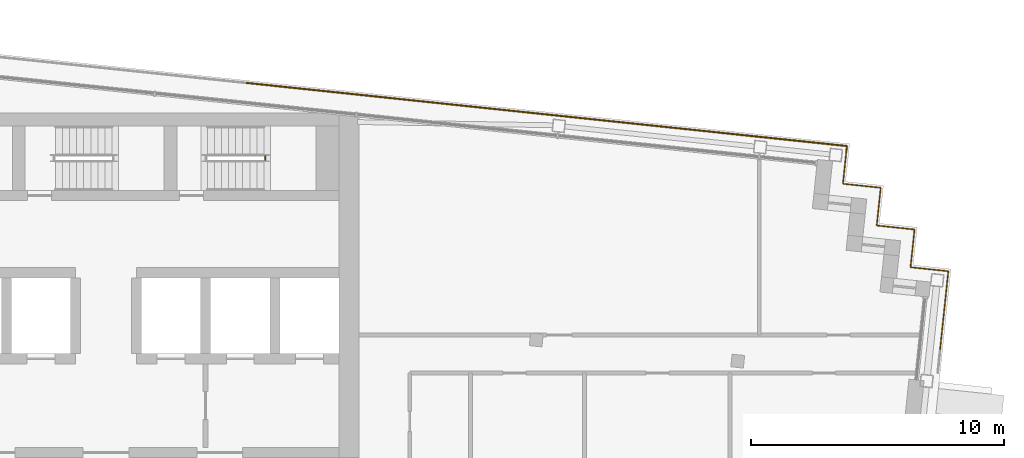
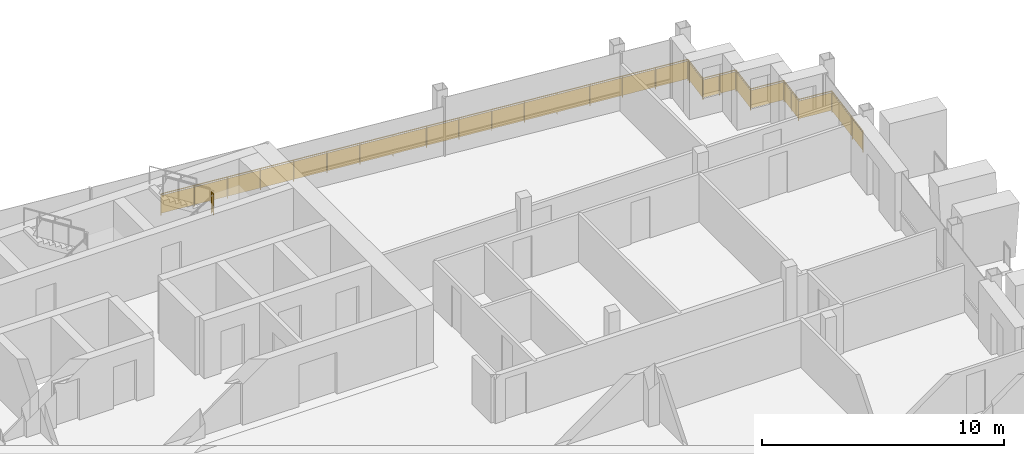
# One storey, part 16 of 16: 4 railings.
"""IFC4 building model written with IfcOpenShell, lengths in metres."""

from ifc_helpers import new_model, si_unit, direction, frame, origin, origin_2d, place, context, subcontext, project, spatial, rectangle, circle, extrude, material, type_object, element, save


model = new_model("IFC4")

# Units and contexts
model_context = context("Model", 3, precision=1e-05, world=origin(), true_north=direction((0.0, 1.0)))
body_context = subcontext(model_context, "Body", "Model", "MODEL_VIEW")
ifc_project = project(units=[si_unit("LENGTHUNIT", "METRE"), si_unit("AREAUNIT", "SQUARE_METRE"), si_unit("VOLUMEUNIT", "CUBIC_METRE"), si_unit("PLANEANGLEUNIT", "RADIAN"), si_unit("MASSUNIT", "GRAM", prefix="KILO")], contexts=[model_context])

# Site, building, storey
site_placement = place(None, origin())
site = spatial("IfcSite", under=ifc_project, at=site_placement, CompositionType="ELEMENT")
building_placement = place(site_placement, origin())
building = spatial("IfcBuilding", under=site, at=building_placement, Name="Vidyagriha Tower", CompositionType="ELEMENT")
storey_placement = place(building_placement, frame((0.0, 0.0, 272.300048828125)))
storey = spatial("IfcBuildingStorey", under=building, at=storey_placement, Name="L71", CompositionType="ELEMENT", Elevation=272.300048828125)

# Railings
ifc_material_1 = material(Name="Steel ASTM A500 Grade C black painted", Category="steel")
railing_type_1 = type_object("IfcRailingType", Name="Gallery guard 1100", PredefinedType="GUARDRAIL", material=ifc_material_1)
railing_1_placement = place(storey_placement, frame((5.55224609375, 21.196533203125, 0.0)))
element("IfcRailing", 1, at=railing_1_placement, inside=storey, type_object=railing_type_1, Name="Gallery guard L71 7", PredefinedType="GUARDRAIL", context=body_context, shape_type="SweptSolid", body=[
    extrude(circle(Radius=0.02490234375, at=origin_2d()), frame((0.0, 0.0, 1.0751953125), z_axis=(0.994521271903, -0.104534394972, 0.0), x_axis=(0.104534394972, 0.994521271903, 0.0)), (0.0, 0.0, 1.0), 11.999755859375),
    extrude(circle(Radius=0.02001953125, at=origin_2d()), origin(), (0.0, 0.0, 1.0), 1.050048828125),
    extrude(circle(Radius=0.02001953125, at=origin_2d()), frame((1.49169921875, -0.15673828125, 0.0)), (0.0, 0.0, 1.0), 1.050048828125),
    extrude(circle(Radius=0.02001953125, at=origin_2d()), frame((2.9833984375, -0.3134765625, 0.0)), (0.0, 0.0, 1.0), 1.050048828125),
    extrude(circle(Radius=0.02001953125, at=origin_2d()), frame((4.475341796875, -0.470458984375, 0.0)), (0.0, 0.0, 1.0), 1.050048828125),
    extrude(circle(Radius=0.02001953125, at=origin_2d()), frame((5.967041015625, -0.627197265625, 0.0)), (0.0, 0.0, 1.0), 1.050048828125),
    extrude(circle(Radius=0.02001953125, at=origin_2d()), frame((7.458740234375, -0.783935546875, 0.0)), (0.0, 0.0, 1.0), 1.050048828125),
    extrude(circle(Radius=0.02001953125, at=origin_2d()), frame((8.95068359375, -0.94091796875, 0.0)), (0.0, 0.0, 1.0), 1.050048828125),
    extrude(circle(Radius=0.02001953125, at=origin_2d()), frame((10.4423828125, -1.09765625, 0.0)), (0.0, 0.0, 1.0), 1.050048828125),
    extrude(circle(Radius=0.02001953125, at=origin_2d()), frame((11.93408203125, -1.25439453125, 0.0)), (0.0, 0.0, 1.0), 1.050048828125),
    extrude(rectangle(XDim=0.010009765625, YDim=0.900146484375, at=origin_2d()), frame((0.0, 0.0, 0.550048828125), z_axis=(0.994521271903, -0.104534394972, 0.0), x_axis=(0.104534394972, 0.994521271903, 0.0)), (0.0, 0.0, 1.0), 11.999755859375),
])
railing_2_placement = place(storey_placement, frame((17.486328125, 19.942138671875, 0.0)))
element("IfcRailing", 2, at=railing_2_placement, inside=storey, type_object=railing_type_1, Name="Gallery guard L71 8", PredefinedType="GUARDRAIL", context=body_context, shape_type="SweptSolid", body=[
    extrude(circle(Radius=0.02490234375, at=origin_2d()), frame((0.0, 0.0, 1.0751953125), z_axis=(0.994522500633, -0.104522704396, 0.0), x_axis=(0.104522704396, 0.994522500633, 0.0)), (0.0, 0.0, 1.0), 11.840087890625),
    extrude(circle(Radius=0.02490234375, at=origin_2d()), frame((11.775146484375, -1.237548828125, 1.0751953125), z_axis=(-0.105240535143, -0.994446795843, 0.0), x_axis=(0.994446795843, -0.105240535143, 0.0)), (0.0, 0.0, 1.0), 0.16015625),
    extrude(circle(Radius=0.02001953125, at=origin_2d()), origin(), (0.0, 0.0, 1.0), 1.050048828125),
    extrude(circle(Radius=0.02001953125, at=origin_2d()), frame((1.471923828125, -0.15478515625, 0.0)), (0.0, 0.0, 1.0), 1.050048828125),
    extrude(circle(Radius=0.02001953125, at=origin_2d()), frame((2.94384765625, -0.309326171875, 0.0)), (0.0, 0.0, 1.0), 1.050048828125),
    extrude(circle(Radius=0.02001953125, at=origin_2d()), frame((4.415771484375, -0.464111328125, 0.0)), (0.0, 0.0, 1.0), 1.050048828125),
    extrude(circle(Radius=0.02001953125, at=origin_2d()), frame((5.8876953125, -0.61865234375, 0.0)), (0.0, 0.0, 1.0), 1.050048828125),
    extrude(circle(Radius=0.02001953125, at=origin_2d()), frame((7.359375, -0.7734375, 0.0)), (0.0, 0.0, 1.0), 1.050048828125),
    extrude(circle(Radius=0.02001953125, at=origin_2d()), frame((8.831298828125, -0.92822265625, 0.0)), (0.0, 0.0, 1.0), 1.050048828125),
    extrude(circle(Radius=0.02001953125, at=origin_2d()), frame((10.30322265625, -1.082763671875, 0.0)), (0.0, 0.0, 1.0), 1.050048828125),
    extrude(circle(Radius=0.02001953125, at=origin_2d()), frame((11.775146484375, -1.237548828125, 0.0)), (0.0, 0.0, 1.0), 1.050048828125),
    extrude(circle(Radius=0.02001953125, at=origin_2d()), frame((11.75830078125, -1.396728515625, 0.0)), (0.0, 0.0, 1.0), 1.050048828125),
    extrude(rectangle(XDim=0.010009765625, YDim=0.900146484375, at=origin_2d()), frame((0.0, 0.0, 0.550048828125), z_axis=(0.994522500633, -0.104522704396, 0.0), x_axis=(0.104522704396, 0.994522500633, 0.0)), (0.0, 0.0, 1.0), 11.840087890625),
    extrude(rectangle(XDim=0.010009765625, YDim=0.900146484375, at=origin_2d()), frame((11.775146484375, -1.237548828125, 0.550048828125), z_axis=(-0.105240535143, -0.994446795843, 0.0), x_axis=(0.994446795843, -0.105240535143, 0.0)), (0.0, 0.0, 1.0), 0.16015625),
])
railing_3_placement = place(storey_placement, frame((29.24462890625, 18.54541015625, 0.0)))
element("IfcRailing", 3, at=railing_3_placement, inside=storey, type_object=railing_type_1, Name="Gallery guard L71 9", PredefinedType="GUARDRAIL", context=body_context, shape_type="SweptSolid", body=[
    extrude(circle(Radius=0.02490234375, at=origin_2d()), frame((0.0, 0.0, 1.0751953125), z_axis=(-0.104589933737, -0.994515432641, 0.0), x_axis=(0.994515432641, -0.104589933737, 0.0)), (0.0, 0.0, 1.0), 1.33984375),
    extrude(circle(Radius=0.02490234375, at=origin_2d()), frame((-0.14013671875, -1.33251953125, 1.0751953125), z_axis=(0.994509910675, -0.104642427191, 0.0), x_axis=(0.104642427191, 0.994509910675, 0.0)), (0.0, 0.0, 1.0), 1.500244140625),
    extrude(circle(Radius=0.02490234375, at=origin_2d()), frame((1.351806640625, -1.489501953125, 1.0751953125), z_axis=(-0.104498377516, -0.994525057048, 0.0), x_axis=(0.994525057048, -0.104498377516, 0.0)), (0.0, 0.0, 1.0), 1.5),
    extrude(circle(Radius=0.02490234375, at=origin_2d()), frame((1.195068359375, -2.981201171875, 1.0751953125), z_axis=(0.994525057048, -0.104498377516, 0.0), x_axis=(0.104498377516, 0.994525057048, 0.0)), (0.0, 0.0, 1.0), 1.5),
    extrude(circle(Radius=0.02490234375, at=origin_2d()), frame((2.686767578125, -3.137939453125, 1.0751953125), z_axis=(-0.104481464157, -0.994526834051, 0.0), x_axis=(0.994526834051, -0.104481464157, 0.0)), (0.0, 0.0, 1.0), 1.500244140625),
    extrude(circle(Radius=0.02490234375, at=origin_2d()), frame((2.530029296875, -4.6298828125, 1.0751953125), z_axis=(0.994525057048, -0.104498377516, 0.0), x_axis=(0.104498377516, 0.994525057048, 0.0)), (0.0, 0.0, 1.0), 1.5),
    extrude(circle(Radius=0.02490234375, at=origin_2d()), frame((4.021728515625, -4.78662109375, 1.0751953125), z_axis=(-0.104527942092, -0.994521950146, 0.0), x_axis=(0.994521950146, -0.104527942092, 0.0)), (0.0, 0.0, 1.0), 3.16015625),
    extrude(circle(Radius=0.02001953125, at=origin_2d()), origin(), (0.0, 0.0, 1.0), 1.050048828125),
    extrude(circle(Radius=0.02001953125, at=origin_2d()), frame((-0.14013671875, -1.33251953125, 0.0)), (0.0, 0.0, 1.0), 1.050048828125),
    extrude(circle(Radius=0.02001953125, at=origin_2d()), frame((0.60595703125, -1.4111328125, 0.0)), (0.0, 0.0, 1.0), 1.050048828125),
    extrude(circle(Radius=0.02001953125, at=origin_2d()), frame((1.351806640625, -1.489501953125, 0.0)), (0.0, 0.0, 1.0), 1.050048828125),
    extrude(circle(Radius=0.02001953125, at=origin_2d()), frame((1.195068359375, -2.981201171875, 0.0)), (0.0, 0.0, 1.0), 1.050048828125),
    extrude(circle(Radius=0.02001953125, at=origin_2d()), frame((2.686767578125, -3.137939453125, 0.0)), (0.0, 0.0, 1.0), 1.050048828125),
    extrude(circle(Radius=0.02001953125, at=origin_2d()), frame((2.6083984375, -3.8837890625, 0.0)), (0.0, 0.0, 1.0), 1.050048828125),
    extrude(circle(Radius=0.02001953125, at=origin_2d()), frame((2.530029296875, -4.6298828125, 0.0)), (0.0, 0.0, 1.0), 1.050048828125),
    extrude(circle(Radius=0.02001953125, at=origin_2d()), frame((4.021728515625, -4.78662109375, 0.0)), (0.0, 0.0, 1.0), 1.050048828125),
    extrude(circle(Radius=0.02001953125, at=origin_2d()), frame((3.91162109375, -5.834228515625, 0.0)), (0.0, 0.0, 1.0), 1.050048828125),
    extrude(circle(Radius=0.02001953125, at=origin_2d()), frame((3.801513671875, -6.8818359375, 0.0)), (0.0, 0.0, 1.0), 1.050048828125),
    extrude(circle(Radius=0.02001953125, at=origin_2d()), frame((3.69140625, -7.929443359375, 0.0)), (0.0, 0.0, 1.0), 1.050048828125),
    extrude(rectangle(XDim=0.010009765625, YDim=0.900146484375, at=origin_2d()), frame((0.0, 0.0, 0.550048828125), z_axis=(-0.104589933737, -0.994515432641, 0.0), x_axis=(0.994515432641, -0.104589933737, 0.0)), (0.0, 0.0, 1.0), 1.33984375),
    extrude(rectangle(XDim=0.010009765625, YDim=0.900146484375, at=origin_2d()), frame((-0.14013671875, -1.33251953125, 0.550048828125), z_axis=(0.994509910675, -0.104642427191, 0.0), x_axis=(0.104642427191, 0.994509910675, 0.0)), (0.0, 0.0, 1.0), 1.500244140625),
    extrude(rectangle(XDim=0.010009765625, YDim=0.900146484375, at=origin_2d()), frame((1.351806640625, -1.489501953125, 0.550048828125), z_axis=(-0.104498377516, -0.994525057048, 0.0), x_axis=(0.994525057048, -0.104498377516, 0.0)), (0.0, 0.0, 1.0), 1.5),
    extrude(rectangle(XDim=0.010009765625, YDim=0.900146484375, at=origin_2d()), frame((1.195068359375, -2.981201171875, 0.550048828125), z_axis=(0.994525057048, -0.104498377516, 0.0), x_axis=(0.104498377516, 0.994525057048, 0.0)), (0.0, 0.0, 1.0), 1.5),
    extrude(rectangle(XDim=0.010009765625, YDim=0.900146484375, at=origin_2d()), frame((2.686767578125, -3.137939453125, 0.550048828125), z_axis=(-0.104481464157, -0.994526834051, 0.0), x_axis=(0.994526834051, -0.104481464157, 0.0)), (0.0, 0.0, 1.0), 1.500244140625),
    extrude(rectangle(XDim=0.010009765625, YDim=0.900146484375, at=origin_2d()), frame((2.530029296875, -4.6298828125, 0.550048828125), z_axis=(0.994525057048, -0.104498377516, 0.0), x_axis=(0.104498377516, 0.994525057048, 0.0)), (0.0, 0.0, 1.0), 1.5),
    extrude(rectangle(XDim=0.010009765625, YDim=0.900146484375, at=origin_2d()), frame((4.021728515625, -4.78662109375, 0.550048828125), z_axis=(-0.104527942092, -0.994521950146, 0.0), x_axis=(0.994521950146, -0.104527942092, 0.0)), (0.0, 0.0, 1.0), 3.16015625),
])
ifc_material_2 = material(Name="Steel ASTM A500 Grade C", Category="steel")
railing_type_2 = type_object("IfcRailingType", Name="Stair guard 1100 mm, steel balustrade", PredefinedType="GUARDRAIL", material=ifc_material_2)
railing_4_placement = place(storey_placement, frame((6.2900390625, 18.14990234375, 1.599853515625)))
element("IfcRailing", 4, at=railing_4_placement, inside=storey, type_object=railing_type_2, Name="L71 ST3 stair guard 2", PredefinedType="GUARDRAIL", context=body_context, shape_type="SweptSolid", body=[
    extrude(circle(Radius=0.02392578125, at=origin_2d()), frame((0.0, 0.0, 1.076171875), z_axis=(0.0, 1.0, 0.0), x_axis=(-1.0, 0.0, 0.0)), (0.0, 0.0, 1.0), 0.150146484375),
    extrude(circle(Radius=0.02099609375, at=origin_2d()), origin(), (0.0, 0.0, 1.0), 1.052001953125),
    extrude(circle(Radius=0.02099609375, at=origin_2d()), frame((0.0, 0.150146484375, 0.0)), (0.0, 0.0, 1.0), 1.052001953125),
    extrude(rectangle(XDim=0.010009765625, YDim=0.902099609375, at=origin_2d()), frame((0.0, 0.0, 0.551025390625), z_axis=(0.0, 1.0, 0.0), x_axis=(-1.0, 0.0, 0.0)), (0.0, 0.0, 1.0), 0.150146484375),
])

save(model, "model.ifc")
